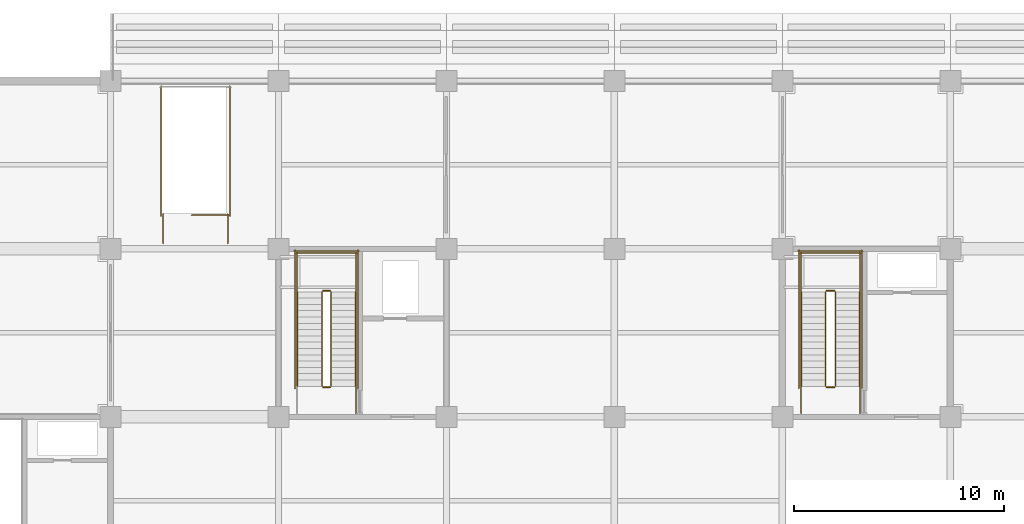
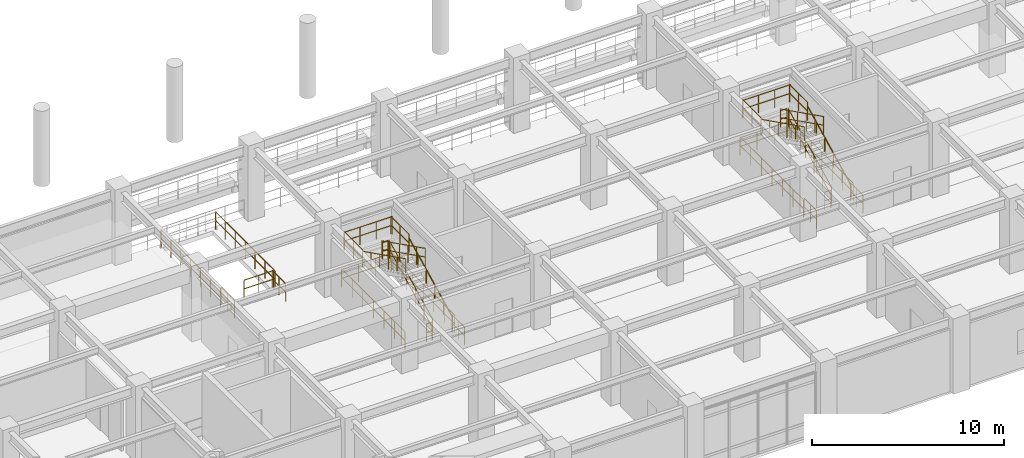
# One storey, part 100 of 117: 32 railings.
"""IFC4 building model written with IfcOpenShell, lengths in metres."""

from ifc_helpers import new_model, si_unit, direction, frame, origin, origin_2d, place, context, subcontext, project, spatial, circle, extrude, material, type_object, element, save


model = new_model("IFC4")

# Units and contexts
model_context = context("Model", 3, precision=1e-05, world=origin(), true_north=direction((0.0, 1.0)))
body_context = subcontext(model_context, "Body", "Model", "MODEL_VIEW")
ifc_project = project(units=[si_unit("LENGTHUNIT", "METRE"), si_unit("AREAUNIT", "SQUARE_METRE"), si_unit("VOLUMEUNIT", "CUBIC_METRE"), si_unit("PLANEANGLEUNIT", "RADIAN"), si_unit("MASSUNIT", "GRAM", prefix="KILO")], contexts=[model_context])

# Site, building, storey
site_placement = place(None, origin())
site = spatial("IfcSite", under=ifc_project, at=site_placement, CompositionType="ELEMENT")
building_placement = place(site_placement, origin())
building = spatial("IfcBuilding", under=site, at=building_placement, Name="Haebicheon Civic Stadium", CompositionType="ELEMENT")
storey_placement = place(building_placement, frame((0.0, 0.0, 4.800048828125)))
storey = spatial("IfcBuildingStorey", under=building, at=storey_placement, Name="L02", CompositionType="ELEMENT", Elevation=4.800048828125)

# Railings
ifc_material_1 = material(Name="Galvanised painted steel SM355", Category="steel")
railing_type_1 = type_object("IfcRailingType", Name="RL-GRD-1150", PredefinedType="GUARDRAIL", material=ifc_material_1)
railing_1_placement = place(storey_placement, frame((90.510009765625, 17.449951171875, 0.14990234375)))
element("IfcRailing", 1, at=railing_1_placement, inside=storey, type_object=railing_type_1, material=ifc_material_1, Name="L02 ST-06 stair guard 1", PredefinedType="GUARDRAIL", context=body_context, shape_type="SweptSolid", body=[
    extrude(circle(Radius=0.02392578125, at=origin_2d()), frame((0.0, 0.0, 1.1259765625), z_axis=(0.0, 0.894427191, 0.4472135955), x_axis=(-1.0, 0.0, 0.0)), (0.0, 0.0, 1.0), 5.03125),
    extrude(circle(Radius=0.02392578125, at=origin_2d()), frame((0.0, 0.0, 0.574951171875), z_axis=(0.0, 0.894427191, 0.4472135955), x_axis=(-1.0, 0.0, 0.0)), (0.0, 0.0, 1.0), 5.03125),
    extrude(circle(Radius=0.02099609375, at=origin_2d()), origin(), (0.0, 0.0, 1.0), 1.101806640625),
    extrude(circle(Radius=0.02099609375, at=origin_2d()), frame((0.0, 0.89990234375, 0.449951171875)), (0.0, 0.0, 1.0), 1.101806640625),
    extrude(circle(Radius=0.02099609375, at=origin_2d()), frame((0.0, 1.800048828125, 0.89990234375)), (0.0, 0.0, 1.0), 1.101806640625),
    extrude(circle(Radius=0.02099609375, at=origin_2d()), frame((0.0, 2.699951171875, 1.35009765625)), (0.0, 0.0, 1.0), 1.101806640625),
    extrude(circle(Radius=0.02099609375, at=origin_2d()), frame((0.0, 3.60009765625, 1.800048828125)), (0.0, 0.0, 1.0), 1.101806640625),
    extrude(circle(Radius=0.02099609375, at=origin_2d()), frame((0.0, 4.5, 2.25)), (0.0, 0.0, 1.0), 1.101806640625),
])
railing_2_placement = place(storey_placement, frame((90.4599609375, 22.0, 2.39990234375)))
element("IfcRailing", 2, at=railing_2_placement, inside=storey, type_object=railing_type_1, material=ifc_material_1, Name="L02 ST-06 stair guard 2", PredefinedType="GUARDRAIL", context=body_context, shape_type="SweptSolid", body=[
    extrude(circle(Radius=0.02392578125, at=origin_2d()), frame((0.0, 0.0, 1.1259765625), z_axis=(-1.0, 0.0, 0.0), x_axis=(0.0, -1.0, 0.0)), (0.0, 0.0, 1.0), 0.33984375),
    extrude(circle(Radius=0.02392578125, at=origin_2d()), frame((0.0, 0.0, 0.574951171875), z_axis=(-1.0, 0.0, 0.0), x_axis=(0.0, -1.0, 0.0)), (0.0, 0.0, 1.0), 0.33984375),
    extrude(circle(Radius=0.02099609375, at=origin_2d()), origin(), (0.0, 0.0, 1.0), 1.101806640625),
    extrude(circle(Radius=0.02099609375, at=origin_2d()), frame((-0.33984375, 0.0, 0.0)), (0.0, 0.0, 1.0), 1.101806640625),
])
for number, where, name in (
    (3, (91.68994140625, 21.949951171875, 2.39990234375), "L02 ST-06 stair guard 3"),
    (4, (88.889892578125, 21.949951171875, 2.39990234375), "L02 ST-06 stair guard 4"),
):
    element("IfcRailing", number, at=place(storey_placement, frame(where)), inside=storey, type_object=railing_type_1, material=ifc_material_1, Name=name, PredefinedType="GUARDRAIL", context=body_context, shape_type="SweptSolid", body=[
        extrude(circle(Radius=0.02392578125, at=origin_2d()), frame((0.0, 0.0, 1.1259765625), z_axis=(0.0, 1.0, 0.0), x_axis=(-1.0, 0.0, 0.0)), (0.0, 0.0, 1.0), 1.89013671875),
        extrude(circle(Radius=0.02392578125, at=origin_2d()), frame((0.0, 0.0, 0.574951171875), z_axis=(0.0, 1.0, 0.0), x_axis=(-1.0, 0.0, 0.0)), (0.0, 0.0, 1.0), 1.89013671875),
        extrude(circle(Radius=0.02099609375, at=origin_2d()), origin(), (0.0, 0.0, 1.0), 1.101806640625),
        extrude(circle(Radius=0.02099609375, at=origin_2d()), frame((0.0, 0.945068359375, 0.0)), (0.0, 0.0, 1.0), 1.101806640625),
        extrude(circle(Radius=0.02099609375, at=origin_2d()), frame((0.0, 1.89013671875, 0.0)), (0.0, 0.0, 1.0), 1.101806640625),
    ])
railing_3_placement = place(storey_placement, frame((91.739990234375, 23.7900390625, 2.39990234375)))
element("IfcRailing", 5, at=railing_3_placement, inside=storey, type_object=railing_type_1, material=ifc_material_1, Name="L02 ST-06 stair guard 5", PredefinedType="GUARDRAIL", context=body_context, shape_type="SweptSolid", body=[
    extrude(circle(Radius=0.02392578125, at=origin_2d()), frame((0.0, 0.0, 1.1259765625), z_axis=(-1.0, 0.0, 0.0), x_axis=(0.0, -1.0, 0.0)), (0.0, 0.0, 1.0), 2.89990234375),
    extrude(circle(Radius=0.02392578125, at=origin_2d()), frame((0.0, 0.0, 0.574951171875), z_axis=(-1.0, 0.0, 0.0), x_axis=(0.0, -1.0, 0.0)), (0.0, 0.0, 1.0), 2.89990234375),
    extrude(circle(Radius=0.02099609375, at=origin_2d()), origin(), (0.0, 0.0, 1.0), 1.101806640625),
    extrude(circle(Radius=0.02099609375, at=origin_2d()), frame((-0.966552734375, 0.0, 0.0)), (0.0, 0.0, 1.0), 1.101806640625),
    extrude(circle(Radius=0.02099609375, at=origin_2d()), frame((-1.933349609375, 0.0, 0.0)), (0.0, 0.0, 1.0), 1.101806640625),
    extrude(circle(Radius=0.02099609375, at=origin_2d()), frame((-2.89990234375, 0.0, 0.0)), (0.0, 0.0, 1.0), 1.101806640625),
])
railing_4_placement = place(storey_placement, frame((90.070068359375, 21.949951171875, 2.550048828125)))
element("IfcRailing", 6, at=railing_4_placement, inside=storey, type_object=railing_type_1, material=ifc_material_1, Name="L02 ST-06 stair guard 6", PredefinedType="GUARDRAIL", context=body_context, shape_type="SweptSolid", body=[
    extrude(circle(Radius=0.02392578125, at=origin_2d()), frame((0.0, 0.0, 1.1259765625), z_axis=(0.0, -0.894427191, 0.4472135955), x_axis=(1.0, 0.0, 0.0)), (0.0, 0.0, 1.0), 5.03125),
    extrude(circle(Radius=0.02392578125, at=origin_2d()), frame((0.0, 0.0, 0.574951171875), z_axis=(0.0, -0.894427191, 0.4472135955), x_axis=(1.0, 0.0, 0.0)), (0.0, 0.0, 1.0), 5.03125),
    extrude(circle(Radius=0.02099609375, at=origin_2d()), origin(), (0.0, 0.0, 1.0), 1.101806640625),
    extrude(circle(Radius=0.02099609375, at=origin_2d()), frame((0.0, -0.89990234375, 0.449951171875)), (0.0, 0.0, 1.0), 1.101806640625),
    extrude(circle(Radius=0.02099609375, at=origin_2d()), frame((0.0, -1.800048828125, 0.89990234375)), (0.0, 0.0, 1.0), 1.101806640625),
    extrude(circle(Radius=0.02099609375, at=origin_2d()), frame((0.0, -2.699951171875, 1.35009765625)), (0.0, 0.0, 1.0), 1.101806640625),
    extrude(circle(Radius=0.02099609375, at=origin_2d()), frame((0.0, -3.60009765625, 1.800048828125)), (0.0, 0.0, 1.0), 1.101806640625),
    extrude(circle(Radius=0.02099609375, at=origin_2d()), frame((0.0, -4.5, 2.25)), (0.0, 0.0, 1.0), 1.101806640625),
])
railing_5_placement = place(storey_placement, frame((90.4599609375, 17.39990234375, 0.0)))
element("IfcRailing", 7, at=railing_5_placement, inside=storey, type_object=railing_type_1, material=ifc_material_1, Name="L02 ST-06 stair guard 7", PredefinedType="GUARDRAIL", context=body_context, shape_type="SweptSolid", body=[
    extrude(circle(Radius=0.02392578125, at=origin_2d()), frame((0.0, 0.0, 1.1259765625), z_axis=(-1.0, 0.0, 0.0), x_axis=(0.0, -1.0, 0.0)), (0.0, 0.0, 1.0), 0.33984375),
    extrude(circle(Radius=0.02392578125, at=origin_2d()), frame((0.0, 0.0, 0.574951171875), z_axis=(-1.0, 0.0, 0.0), x_axis=(0.0, -1.0, 0.0)), (0.0, 0.0, 1.0), 0.33984375),
    extrude(circle(Radius=0.02099609375, at=origin_2d()), origin(), (0.0, 0.0, 1.0), 1.101806640625),
    extrude(circle(Radius=0.02099609375, at=origin_2d()), frame((-0.33984375, 0.0, 0.0)), (0.0, 0.0, 1.0), 1.101806640625),
])
railing_6_placement = place(storey_placement, frame((91.68994140625, 16.159912109375, 0.0)))
element("IfcRailing", 8, at=railing_6_placement, inside=storey, type_object=railing_type_1, material=ifc_material_1, Name="L02 ST-06 stair guard 8", PredefinedType="GUARDRAIL", context=body_context, shape_type="SweptSolid", body=[
    extrude(circle(Radius=0.02392578125, at=origin_2d()), frame((0.0, 0.0, 1.1259765625), z_axis=(0.0, 1.0, 0.0), x_axis=(-1.0, 0.0, 0.0)), (0.0, 0.0, 1.0), 1.2900390625),
    extrude(circle(Radius=0.02392578125, at=origin_2d()), frame((0.0, 0.0, 0.574951171875), z_axis=(0.0, 1.0, 0.0), x_axis=(-1.0, 0.0, 0.0)), (0.0, 0.0, 1.0), 1.2900390625),
    extrude(circle(Radius=0.02099609375, at=origin_2d()), origin(), (0.0, 0.0, 1.0), 1.101806640625),
    extrude(circle(Radius=0.02099609375, at=origin_2d()), frame((0.0, 0.64501953125, 0.0)), (0.0, 0.0, 1.0), 1.101806640625),
    extrude(circle(Radius=0.02099609375, at=origin_2d()), frame((0.0, 1.2900390625, 0.0)), (0.0, 0.0, 1.0), 1.101806640625),
])
for number, where, name in (
    (9, (91.7900390625, 17.35009765625, 0.0), "L02 ST-06 stair guard 10"),
    (10, (88.7900390625, 17.35009765625, 0.0), "L02 ST-06 stair guard 11"),
):
    element("IfcRailing", number, at=place(storey_placement, frame(where)), inside=storey, type_object=railing_type_1, material=ifc_material_1, Name=name, PredefinedType="GUARDRAIL", context=body_context, shape_type="SweptSolid", body=[
        extrude(circle(Radius=0.02392578125, at=origin_2d()), frame((0.0, 0.0, 1.1259765625), z_axis=(0.0, 1.0, 0.0), x_axis=(-1.0, 0.0, 0.0)), (0.0, 0.0, 1.0), 6.58984375),
        extrude(circle(Radius=0.02392578125, at=origin_2d()), frame((0.0, 0.0, 0.574951171875), z_axis=(0.0, 1.0, 0.0), x_axis=(-1.0, 0.0, 0.0)), (0.0, 0.0, 1.0), 6.58984375),
        extrude(circle(Radius=0.02099609375, at=origin_2d()), origin(), (0.0, 0.0, 1.0), 1.101806640625),
        extrude(circle(Radius=0.02099609375, at=origin_2d()), frame((0.0, 1.098388671875, 0.0)), (0.0, 0.0, 1.0), 1.101806640625),
        extrude(circle(Radius=0.02099609375, at=origin_2d()), frame((0.0, 2.196533203125, 0.0)), (0.0, 0.0, 1.0), 1.101806640625),
        extrude(circle(Radius=0.02099609375, at=origin_2d()), frame((0.0, 3.294921875, 0.0)), (0.0, 0.0, 1.0), 1.101806640625),
        extrude(circle(Radius=0.02099609375, at=origin_2d()), frame((0.0, 4.393310546875, 0.0)), (0.0, 0.0, 1.0), 1.101806640625),
        extrude(circle(Radius=0.02099609375, at=origin_2d()), frame((0.0, 5.491455078125, 0.0)), (0.0, 0.0, 1.0), 1.101806640625),
        extrude(circle(Radius=0.02099609375, at=origin_2d()), frame((0.0, 6.58984375, 0.0)), (0.0, 0.0, 1.0), 1.101806640625),
    ])
railing_7_placement = place(storey_placement, frame((91.840087890625, 23.889892578125, 0.0)))
element("IfcRailing", 11, at=railing_7_placement, inside=storey, type_object=railing_type_1, material=ifc_material_1, Name="L02 ST-06 stair guard 12", PredefinedType="GUARDRAIL", context=body_context, shape_type="SweptSolid", body=[
    extrude(circle(Radius=0.02392578125, at=origin_2d()), frame((0.0, 0.0, 1.1259765625), z_axis=(-1.0, 0.0, 0.0), x_axis=(0.0, -1.0, 0.0)), (0.0, 0.0, 1.0), 3.10009765625),
    extrude(circle(Radius=0.02392578125, at=origin_2d()), frame((0.0, 0.0, 0.574951171875), z_axis=(-1.0, 0.0, 0.0), x_axis=(0.0, -1.0, 0.0)), (0.0, 0.0, 1.0), 3.10009765625),
    extrude(circle(Radius=0.02099609375, at=origin_2d()), origin(), (0.0, 0.0, 1.0), 1.101806640625),
    extrude(circle(Radius=0.02099609375, at=origin_2d()), frame((-1.033447265625, 0.0, 0.0)), (0.0, 0.0, 1.0), 1.101806640625),
    extrude(circle(Radius=0.02099609375, at=origin_2d()), frame((-2.066650390625, 0.0, 0.0)), (0.0, 0.0, 1.0), 1.101806640625),
    extrude(circle(Radius=0.02099609375, at=origin_2d()), frame((-3.10009765625, 0.0, 0.0)), (0.0, 0.0, 1.0), 1.101806640625),
])
railing_8_placement = place(storey_placement, frame((114.530029296875, 17.449951171875, 0.14990234375)))
element("IfcRailing", 12, at=railing_8_placement, inside=storey, type_object=railing_type_1, material=ifc_material_1, Name="L02 ST-07 stair guard 1", PredefinedType="GUARDRAIL", context=body_context, shape_type="SweptSolid", body=[
    extrude(circle(Radius=0.02392578125, at=origin_2d()), frame((0.0, 0.0, 1.1259765625), z_axis=(0.0, 0.894427191, 0.4472135955), x_axis=(-1.0, 0.0, 0.0)), (0.0, 0.0, 1.0), 5.03125),
    extrude(circle(Radius=0.02392578125, at=origin_2d()), frame((0.0, 0.0, 0.574951171875), z_axis=(0.0, 0.894427191, 0.4472135955), x_axis=(-1.0, 0.0, 0.0)), (0.0, 0.0, 1.0), 5.03125),
    extrude(circle(Radius=0.02099609375, at=origin_2d()), origin(), (0.0, 0.0, 1.0), 1.101806640625),
    extrude(circle(Radius=0.02099609375, at=origin_2d()), frame((0.0, 0.89990234375, 0.449951171875)), (0.0, 0.0, 1.0), 1.101806640625),
    extrude(circle(Radius=0.02099609375, at=origin_2d()), frame((0.0, 1.800048828125, 0.89990234375)), (0.0, 0.0, 1.0), 1.101806640625),
    extrude(circle(Radius=0.02099609375, at=origin_2d()), frame((0.0, 2.699951171875, 1.35009765625)), (0.0, 0.0, 1.0), 1.101806640625),
    extrude(circle(Radius=0.02099609375, at=origin_2d()), frame((0.0, 3.60009765625, 1.800048828125)), (0.0, 0.0, 1.0), 1.101806640625),
    extrude(circle(Radius=0.02099609375, at=origin_2d()), frame((0.0, 4.5, 2.25)), (0.0, 0.0, 1.0), 1.101806640625),
])
railing_9_placement = place(storey_placement, frame((114.47998046875, 22.0, 2.39990234375)))
element("IfcRailing", 13, at=railing_9_placement, inside=storey, type_object=railing_type_1, material=ifc_material_1, Name="L02 ST-07 stair guard 2", PredefinedType="GUARDRAIL", context=body_context, shape_type="SweptSolid", body=[
    extrude(circle(Radius=0.02392578125, at=origin_2d()), frame((0.0, 0.0, 1.1259765625), z_axis=(-1.0, 0.0, 0.0), x_axis=(0.0, -1.0, 0.0)), (0.0, 0.0, 1.0), 0.3798828125),
    extrude(circle(Radius=0.02392578125, at=origin_2d()), frame((0.0, 0.0, 0.574951171875), z_axis=(-1.0, 0.0, 0.0), x_axis=(0.0, -1.0, 0.0)), (0.0, 0.0, 1.0), 0.3798828125),
    extrude(circle(Radius=0.02099609375, at=origin_2d()), origin(), (0.0, 0.0, 1.0), 1.101806640625),
    extrude(circle(Radius=0.02099609375, at=origin_2d()), frame((-0.3798828125, 0.0, 0.0)), (0.0, 0.0, 1.0), 1.101806640625),
])
for number, where, name in (
    (14, (115.68994140625, 21.949951171875, 2.39990234375), "L02 ST-07 stair guard 3"),
    (15, (112.889892578125, 21.949951171875, 2.39990234375), "L02 ST-07 stair guard 4"),
):
    element("IfcRailing", number, at=place(storey_placement, frame(where)), inside=storey, type_object=railing_type_1, material=ifc_material_1, Name=name, PredefinedType="GUARDRAIL", context=body_context, shape_type="SweptSolid", body=[
        extrude(circle(Radius=0.02392578125, at=origin_2d()), frame((0.0, 0.0, 1.1259765625), z_axis=(0.0, 1.0, 0.0), x_axis=(-1.0, 0.0, 0.0)), (0.0, 0.0, 1.0), 1.89013671875),
        extrude(circle(Radius=0.02392578125, at=origin_2d()), frame((0.0, 0.0, 0.574951171875), z_axis=(0.0, 1.0, 0.0), x_axis=(-1.0, 0.0, 0.0)), (0.0, 0.0, 1.0), 1.89013671875),
        extrude(circle(Radius=0.02099609375, at=origin_2d()), origin(), (0.0, 0.0, 1.0), 1.101806640625),
        extrude(circle(Radius=0.02099609375, at=origin_2d()), frame((0.0, 0.945068359375, 0.0)), (0.0, 0.0, 1.0), 1.101806640625),
        extrude(circle(Radius=0.02099609375, at=origin_2d()), frame((0.0, 1.89013671875, 0.0)), (0.0, 0.0, 1.0), 1.101806640625),
    ])
railing_10_placement = place(storey_placement, frame((115.739990234375, 23.7900390625, 2.39990234375)))
element("IfcRailing", 16, at=railing_10_placement, inside=storey, type_object=railing_type_1, material=ifc_material_1, Name="L02 ST-07 stair guard 5", PredefinedType="GUARDRAIL", context=body_context, shape_type="SweptSolid", body=[
    extrude(circle(Radius=0.02392578125, at=origin_2d()), frame((0.0, 0.0, 1.1259765625), z_axis=(-1.0, 0.0, 0.0), x_axis=(0.0, -1.0, 0.0)), (0.0, 0.0, 1.0), 2.89990234375),
    extrude(circle(Radius=0.02392578125, at=origin_2d()), frame((0.0, 0.0, 0.574951171875), z_axis=(-1.0, 0.0, 0.0), x_axis=(0.0, -1.0, 0.0)), (0.0, 0.0, 1.0), 2.89990234375),
    extrude(circle(Radius=0.02099609375, at=origin_2d()), origin(), (0.0, 0.0, 1.0), 1.101806640625),
    extrude(circle(Radius=0.02099609375, at=origin_2d()), frame((-0.966552734375, 0.0, 0.0)), (0.0, 0.0, 1.0), 1.101806640625),
    extrude(circle(Radius=0.02099609375, at=origin_2d()), frame((-1.933349609375, 0.0, 0.0)), (0.0, 0.0, 1.0), 1.101806640625),
    extrude(circle(Radius=0.02099609375, at=origin_2d()), frame((-2.89990234375, 0.0, 0.0)), (0.0, 0.0, 1.0), 1.101806640625),
])
railing_11_placement = place(storey_placement, frame((114.050048828125, 21.949951171875, 2.550048828125)))
element("IfcRailing", 17, at=railing_11_placement, inside=storey, type_object=railing_type_1, material=ifc_material_1, Name="L02 ST-07 stair guard 6", PredefinedType="GUARDRAIL", context=body_context, shape_type="SweptSolid", body=[
    extrude(circle(Radius=0.02392578125, at=origin_2d()), frame((0.0, 0.0, 1.1259765625), z_axis=(0.0, -0.894427191, 0.4472135955), x_axis=(1.0, 0.0, 0.0)), (0.0, 0.0, 1.0), 5.03125),
    extrude(circle(Radius=0.02392578125, at=origin_2d()), frame((0.0, 0.0, 0.574951171875), z_axis=(0.0, -0.894427191, 0.4472135955), x_axis=(1.0, 0.0, 0.0)), (0.0, 0.0, 1.0), 5.03125),
    extrude(circle(Radius=0.02099609375, at=origin_2d()), origin(), (0.0, 0.0, 1.0), 1.101806640625),
    extrude(circle(Radius=0.02099609375, at=origin_2d()), frame((0.0, -0.89990234375, 0.449951171875)), (0.0, 0.0, 1.0), 1.101806640625),
    extrude(circle(Radius=0.02099609375, at=origin_2d()), frame((0.0, -1.800048828125, 0.89990234375)), (0.0, 0.0, 1.0), 1.101806640625),
    extrude(circle(Radius=0.02099609375, at=origin_2d()), frame((0.0, -2.699951171875, 1.35009765625)), (0.0, 0.0, 1.0), 1.101806640625),
    extrude(circle(Radius=0.02099609375, at=origin_2d()), frame((0.0, -3.60009765625, 1.800048828125)), (0.0, 0.0, 1.0), 1.101806640625),
    extrude(circle(Radius=0.02099609375, at=origin_2d()), frame((0.0, -4.5, 2.25)), (0.0, 0.0, 1.0), 1.101806640625),
])
railing_12_placement = place(storey_placement, frame((114.47998046875, 17.39990234375, 0.0)))
element("IfcRailing", 18, at=railing_12_placement, inside=storey, type_object=railing_type_1, material=ifc_material_1, Name="L02 ST-07 stair guard 7", PredefinedType="GUARDRAIL", context=body_context, shape_type="SweptSolid", body=[
    extrude(circle(Radius=0.02392578125, at=origin_2d()), frame((0.0, 0.0, 1.1259765625), z_axis=(-1.0, 0.0, 0.0), x_axis=(0.0, -1.0, 0.0)), (0.0, 0.0, 1.0), 0.3798828125),
    extrude(circle(Radius=0.02392578125, at=origin_2d()), frame((0.0, 0.0, 0.574951171875), z_axis=(-1.0, 0.0, 0.0), x_axis=(0.0, -1.0, 0.0)), (0.0, 0.0, 1.0), 0.3798828125),
    extrude(circle(Radius=0.02099609375, at=origin_2d()), origin(), (0.0, 0.0, 1.0), 1.101806640625),
    extrude(circle(Radius=0.02099609375, at=origin_2d()), frame((-0.3798828125, 0.0, 0.0)), (0.0, 0.0, 1.0), 1.101806640625),
])
for number, where, name in (
    (19, (115.68994140625, 16.159912109375, 0.0), "L02 ST-07 stair guard 8"),
    (20, (112.889892578125, 16.159912109375, 0.0), "L02 ST-07 stair guard 9"),
):
    element("IfcRailing", number, at=place(storey_placement, frame(where)), inside=storey, type_object=railing_type_1, material=ifc_material_1, Name=name, PredefinedType="GUARDRAIL", context=body_context, shape_type="SweptSolid", body=[
        extrude(circle(Radius=0.02392578125, at=origin_2d()), frame((0.0, 0.0, 1.1259765625), z_axis=(0.0, 1.0, 0.0), x_axis=(-1.0, 0.0, 0.0)), (0.0, 0.0, 1.0), 1.2900390625),
        extrude(circle(Radius=0.02392578125, at=origin_2d()), frame((0.0, 0.0, 0.574951171875), z_axis=(0.0, 1.0, 0.0), x_axis=(-1.0, 0.0, 0.0)), (0.0, 0.0, 1.0), 1.2900390625),
        extrude(circle(Radius=0.02099609375, at=origin_2d()), origin(), (0.0, 0.0, 1.0), 1.101806640625),
        extrude(circle(Radius=0.02099609375, at=origin_2d()), frame((0.0, 0.64501953125, 0.0)), (0.0, 0.0, 1.0), 1.101806640625),
        extrude(circle(Radius=0.02099609375, at=origin_2d()), frame((0.0, 1.2900390625, 0.0)), (0.0, 0.0, 1.0), 1.101806640625),
    ])
for number, where, name in (
    (21, (115.7900390625, 17.35009765625, 0.0), "L02 ST-07 stair guard 10"),
    (22, (112.7900390625, 17.35009765625, 0.0), "L02 ST-07 stair guard 11"),
):
    element("IfcRailing", number, at=place(storey_placement, frame(where)), inside=storey, type_object=railing_type_1, material=ifc_material_1, Name=name, PredefinedType="GUARDRAIL", context=body_context, shape_type="SweptSolid", body=[
        extrude(circle(Radius=0.02392578125, at=origin_2d()), frame((0.0, 0.0, 1.1259765625), z_axis=(0.0, 1.0, 0.0), x_axis=(-1.0, 0.0, 0.0)), (0.0, 0.0, 1.0), 6.58984375),
        extrude(circle(Radius=0.02392578125, at=origin_2d()), frame((0.0, 0.0, 0.574951171875), z_axis=(0.0, 1.0, 0.0), x_axis=(-1.0, 0.0, 0.0)), (0.0, 0.0, 1.0), 6.58984375),
        extrude(circle(Radius=0.02099609375, at=origin_2d()), origin(), (0.0, 0.0, 1.0), 1.101806640625),
        extrude(circle(Radius=0.02099609375, at=origin_2d()), frame((0.0, 1.098388671875, 0.0)), (0.0, 0.0, 1.0), 1.101806640625),
        extrude(circle(Radius=0.02099609375, at=origin_2d()), frame((0.0, 2.196533203125, 0.0)), (0.0, 0.0, 1.0), 1.101806640625),
        extrude(circle(Radius=0.02099609375, at=origin_2d()), frame((0.0, 3.294921875, 0.0)), (0.0, 0.0, 1.0), 1.101806640625),
        extrude(circle(Radius=0.02099609375, at=origin_2d()), frame((0.0, 4.393310546875, 0.0)), (0.0, 0.0, 1.0), 1.101806640625),
        extrude(circle(Radius=0.02099609375, at=origin_2d()), frame((0.0, 5.491455078125, 0.0)), (0.0, 0.0, 1.0), 1.101806640625),
        extrude(circle(Radius=0.02099609375, at=origin_2d()), frame((0.0, 6.58984375, 0.0)), (0.0, 0.0, 1.0), 1.101806640625),
    ])
railing_13_placement = place(storey_placement, frame((115.840087890625, 23.889892578125, 0.0)))
element("IfcRailing", 23, at=railing_13_placement, inside=storey, type_object=railing_type_1, material=ifc_material_1, Name="L02 ST-07 stair guard 12", PredefinedType="GUARDRAIL", context=body_context, shape_type="SweptSolid", body=[
    extrude(circle(Radius=0.02392578125, at=origin_2d()), frame((0.0, 0.0, 1.1259765625), z_axis=(-1.0, 0.0, 0.0), x_axis=(0.0, -1.0, 0.0)), (0.0, 0.0, 1.0), 3.10009765625),
    extrude(circle(Radius=0.02392578125, at=origin_2d()), frame((0.0, 0.0, 0.574951171875), z_axis=(-1.0, 0.0, 0.0), x_axis=(0.0, -1.0, 0.0)), (0.0, 0.0, 1.0), 3.10009765625),
    extrude(circle(Radius=0.02099609375, at=origin_2d()), origin(), (0.0, 0.0, 1.0), 1.101806640625),
    extrude(circle(Radius=0.02099609375, at=origin_2d()), frame((-1.033447265625, 0.0, 0.0)), (0.0, 0.0, 1.0), 1.101806640625),
    extrude(circle(Radius=0.02099609375, at=origin_2d()), frame((-2.066650390625, 0.0, 0.0)), (0.0, 0.0, 1.0), 1.101806640625),
    extrude(circle(Radius=0.02099609375, at=origin_2d()), frame((-3.10009765625, 0.0, 0.0)), (0.0, 0.0, 1.0), 1.101806640625),
])
railing_14_placement = place(storey_placement, frame((85.639892578125, 25.60009765625, 0.0)))
element("IfcRailing", 24, at=railing_14_placement, inside=storey, type_object=railing_type_1, material=ifc_material_1, Name="L02 VM-10 top well guard 1", PredefinedType="GUARDRAIL", context=body_context, shape_type="SweptSolid", body=[
    extrude(circle(Radius=0.02392578125, at=origin_2d()), frame((0.0, 0.0, 1.1259765625), z_axis=(-1.0, 0.0, 0.0), x_axis=(0.0, -1.0, 0.0)), (0.0, 0.0, 1.0), 1.77978515625),
    extrude(circle(Radius=0.02392578125, at=origin_2d()), frame((0.0, 0.0, 0.574951171875), z_axis=(-1.0, 0.0, 0.0), x_axis=(0.0, -1.0, 0.0)), (0.0, 0.0, 1.0), 1.77978515625),
    extrude(circle(Radius=0.02099609375, at=origin_2d()), origin(), (0.0, 0.0, 1.0), 1.101806640625),
    extrude(circle(Radius=0.02099609375, at=origin_2d()), frame((-0.889892578125, 0.0, 0.0)), (0.0, 0.0, 1.0), 1.101806640625),
    extrude(circle(Radius=0.02099609375, at=origin_2d()), frame((-1.77978515625, 0.0, 0.0)), (0.0, 0.0, 1.0), 1.101806640625),
])
for number, where, name in (
    (25, (85.68994140625, 25.550048828125, 0.0), "L02 VM-10 top well guard 2"),
    (26, (82.409912109375, 25.550048828125, 0.0), "L02 VM-10 top well guard 3"),
):
    element("IfcRailing", number, at=place(storey_placement, frame(where)), inside=storey, type_object=railing_type_1, material=ifc_material_1, Name=name, PredefinedType="GUARDRAIL", context=body_context, shape_type="SweptSolid", body=[
        extrude(circle(Radius=0.02392578125, at=origin_2d()), frame((0.0, 0.0, 1.1259765625), z_axis=(0.0, 1.0, 0.0), x_axis=(-1.0, 0.0, 0.0)), (0.0, 0.0, 1.0), 6.199951171875),
        extrude(circle(Radius=0.02392578125, at=origin_2d()), frame((0.0, 0.0, 0.574951171875), z_axis=(0.0, 1.0, 0.0), x_axis=(-1.0, 0.0, 0.0)), (0.0, 0.0, 1.0), 6.199951171875),
        extrude(circle(Radius=0.02099609375, at=origin_2d()), origin(), (0.0, 0.0, 1.0), 1.101806640625),
        extrude(circle(Radius=0.02099609375, at=origin_2d()), frame((0.0, 1.033203125, 0.0)), (0.0, 0.0, 1.0), 1.101806640625),
        extrude(circle(Radius=0.02099609375, at=origin_2d()), frame((0.0, 2.066650390625, 0.0)), (0.0, 0.0, 1.0), 1.101806640625),
        extrude(circle(Radius=0.02099609375, at=origin_2d()), frame((0.0, 3.10009765625, 0.0)), (0.0, 0.0, 1.0), 1.101806640625),
        extrude(circle(Radius=0.02099609375, at=origin_2d()), frame((0.0, 4.13330078125, 0.0)), (0.0, 0.0, 1.0), 1.101806640625),
        extrude(circle(Radius=0.02099609375, at=origin_2d()), frame((0.0, 5.16650390625, 0.0)), (0.0, 0.0, 1.0), 1.101806640625),
        extrude(circle(Radius=0.02099609375, at=origin_2d()), frame((0.0, 6.199951171875, 0.0)), (0.0, 0.0, 1.0), 1.101806640625),
    ])
for number, where, name in (
    (27, (85.590087890625, 24.25, 0.0), "L02 VM-10 top well guard 5"),
    (28, (82.510009765625, 24.25, 0.0), "L02 VM-10 top well guard 6"),
):
    element("IfcRailing", number, at=place(storey_placement, frame(where)), inside=storey, type_object=railing_type_1, material=ifc_material_1, Name=name, PredefinedType="GUARDRAIL", context=body_context, shape_type="SweptSolid", body=[
        extrude(circle(Radius=0.02392578125, at=origin_2d()), frame((0.0, 0.0, 1.1259765625), z_axis=(0.0, 1.0, 0.0), x_axis=(-1.0, 0.0, 0.0)), (0.0, 0.0, 1.0), 1.39990234375),
        extrude(circle(Radius=0.02392578125, at=origin_2d()), frame((0.0, 0.0, 0.574951171875), z_axis=(0.0, 1.0, 0.0), x_axis=(-1.0, 0.0, 0.0)), (0.0, 0.0, 1.0), 1.39990234375),
        extrude(circle(Radius=0.02099609375, at=origin_2d()), origin(), (0.0, 0.0, 1.0), 1.101806640625),
        extrude(circle(Radius=0.02099609375, at=origin_2d()), frame((0.0, 0.699951171875, 0.0)), (0.0, 0.0, 1.0), 1.101806640625),
        extrude(circle(Radius=0.02099609375, at=origin_2d()), frame((0.0, 1.39990234375, 0.0)), (0.0, 0.0, 1.0), 1.101806640625),
    ])
ifc_material_2 = material(Name="Stainless steel 316", Category="steel")
railing_type_2 = type_object("IfcRailingType", Name="RL-HND-900", PredefinedType="HANDRAIL", material=ifc_material_2)
railing_15_placement = place(storey_placement, frame((91.68994140625, 17.449951171875, 0.14990234375)))
element("IfcRailing", 29, at=railing_15_placement, inside=storey, type_object=railing_type_2, material=ifc_material_2, Name="L02 ST-06 stair handrail 1", PredefinedType="HANDRAIL", context=body_context, shape_type="SweptSolid", body=[
    extrude(circle(Radius=0.02392578125, at=origin_2d()), frame((0.0, 0.0, 0.8759765625), z_axis=(0.0, 0.894427191, 0.4472135955), x_axis=(-1.0, 0.0, 0.0)), (0.0, 0.0, 1.0), 5.03125),
    extrude(circle(Radius=0.02099609375, at=origin_2d()), origin(), (0.0, 0.0, 1.0), 0.851806640625),
    extrude(circle(Radius=0.02099609375, at=origin_2d()), frame((0.0, 0.89990234375, 0.449951171875)), (0.0, 0.0, 1.0), 0.851806640625),
    extrude(circle(Radius=0.02099609375, at=origin_2d()), frame((0.0, 1.800048828125, 0.89990234375)), (0.0, 0.0, 1.0), 0.851806640625),
    extrude(circle(Radius=0.02099609375, at=origin_2d()), frame((0.0, 2.699951171875, 1.35009765625)), (0.0, 0.0, 1.0), 0.851806640625),
    extrude(circle(Radius=0.02099609375, at=origin_2d()), frame((0.0, 3.60009765625, 1.800048828125)), (0.0, 0.0, 1.0), 0.851806640625),
    extrude(circle(Radius=0.02099609375, at=origin_2d()), frame((0.0, 4.5, 2.25)), (0.0, 0.0, 1.0), 0.851806640625),
])
railing_16_placement = place(storey_placement, frame((88.889892578125, 21.949951171875, 2.550048828125)))
element("IfcRailing", 30, at=railing_16_placement, inside=storey, type_object=railing_type_2, material=ifc_material_2, Name="L02 ST-06 stair handrail 2", PredefinedType="HANDRAIL", context=body_context, shape_type="SweptSolid", body=[
    extrude(circle(Radius=0.02392578125, at=origin_2d()), frame((0.0, 0.0, 0.8759765625), z_axis=(0.0, -0.894427191, 0.4472135955), x_axis=(1.0, 0.0, 0.0)), (0.0, 0.0, 1.0), 5.03125),
    extrude(circle(Radius=0.02099609375, at=origin_2d()), origin(), (0.0, 0.0, 1.0), 0.851806640625),
    extrude(circle(Radius=0.02099609375, at=origin_2d()), frame((0.0, -0.89990234375, 0.449951171875)), (0.0, 0.0, 1.0), 0.851806640625),
    extrude(circle(Radius=0.02099609375, at=origin_2d()), frame((0.0, -1.800048828125, 0.89990234375)), (0.0, 0.0, 1.0), 0.851806640625),
    extrude(circle(Radius=0.02099609375, at=origin_2d()), frame((0.0, -2.699951171875, 1.35009765625)), (0.0, 0.0, 1.0), 0.851806640625),
    extrude(circle(Radius=0.02099609375, at=origin_2d()), frame((0.0, -3.60009765625, 1.800048828125)), (0.0, 0.0, 1.0), 0.851806640625),
    extrude(circle(Radius=0.02099609375, at=origin_2d()), frame((0.0, -4.5, 2.25)), (0.0, 0.0, 1.0), 0.851806640625),
])
railing_17_placement = place(storey_placement, frame((115.68994140625, 17.449951171875, 0.14990234375)))
element("IfcRailing", 31, at=railing_17_placement, inside=storey, type_object=railing_type_2, material=ifc_material_2, Name="L02 ST-07 stair handrail 1", PredefinedType="HANDRAIL", context=body_context, shape_type="SweptSolid", body=[
    extrude(circle(Radius=0.02392578125, at=origin_2d()), frame((0.0, 0.0, 0.8759765625), z_axis=(0.0, 0.894427191, 0.4472135955), x_axis=(-1.0, 0.0, 0.0)), (0.0, 0.0, 1.0), 5.03125),
    extrude(circle(Radius=0.02099609375, at=origin_2d()), origin(), (0.0, 0.0, 1.0), 0.851806640625),
    extrude(circle(Radius=0.02099609375, at=origin_2d()), frame((0.0, 0.89990234375, 0.449951171875)), (0.0, 0.0, 1.0), 0.851806640625),
    extrude(circle(Radius=0.02099609375, at=origin_2d()), frame((0.0, 1.800048828125, 0.89990234375)), (0.0, 0.0, 1.0), 0.851806640625),
    extrude(circle(Radius=0.02099609375, at=origin_2d()), frame((0.0, 2.699951171875, 1.35009765625)), (0.0, 0.0, 1.0), 0.851806640625),
    extrude(circle(Radius=0.02099609375, at=origin_2d()), frame((0.0, 3.60009765625, 1.800048828125)), (0.0, 0.0, 1.0), 0.851806640625),
    extrude(circle(Radius=0.02099609375, at=origin_2d()), frame((0.0, 4.5, 2.25)), (0.0, 0.0, 1.0), 0.851806640625),
])
railing_18_placement = place(storey_placement, frame((112.889892578125, 21.949951171875, 2.550048828125)))
element("IfcRailing", 32, at=railing_18_placement, inside=storey, type_object=railing_type_2, material=ifc_material_2, Name="L02 ST-07 stair handrail 2", PredefinedType="HANDRAIL", context=body_context, shape_type="SweptSolid", body=[
    extrude(circle(Radius=0.02392578125, at=origin_2d()), frame((0.0, 0.0, 0.8759765625), z_axis=(0.0, -0.894427191, 0.4472135955), x_axis=(1.0, 0.0, 0.0)), (0.0, 0.0, 1.0), 5.03125),
    extrude(circle(Radius=0.02099609375, at=origin_2d()), origin(), (0.0, 0.0, 1.0), 0.851806640625),
    extrude(circle(Radius=0.02099609375, at=origin_2d()), frame((0.0, -0.89990234375, 0.449951171875)), (0.0, 0.0, 1.0), 0.851806640625),
    extrude(circle(Radius=0.02099609375, at=origin_2d()), frame((0.0, -1.800048828125, 0.89990234375)), (0.0, 0.0, 1.0), 0.851806640625),
    extrude(circle(Radius=0.02099609375, at=origin_2d()), frame((0.0, -2.699951171875, 1.35009765625)), (0.0, 0.0, 1.0), 0.851806640625),
    extrude(circle(Radius=0.02099609375, at=origin_2d()), frame((0.0, -3.60009765625, 1.800048828125)), (0.0, 0.0, 1.0), 0.851806640625),
    extrude(circle(Radius=0.02099609375, at=origin_2d()), frame((0.0, -4.5, 2.25)), (0.0, 0.0, 1.0), 0.851806640625),
])

save(model, "model.ifc")
